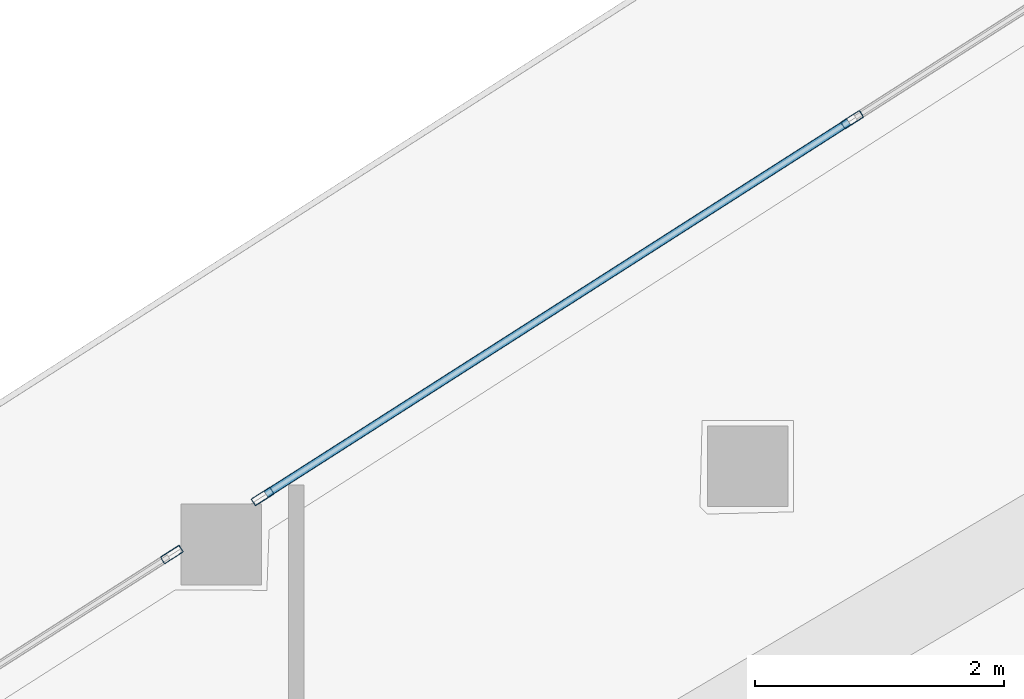
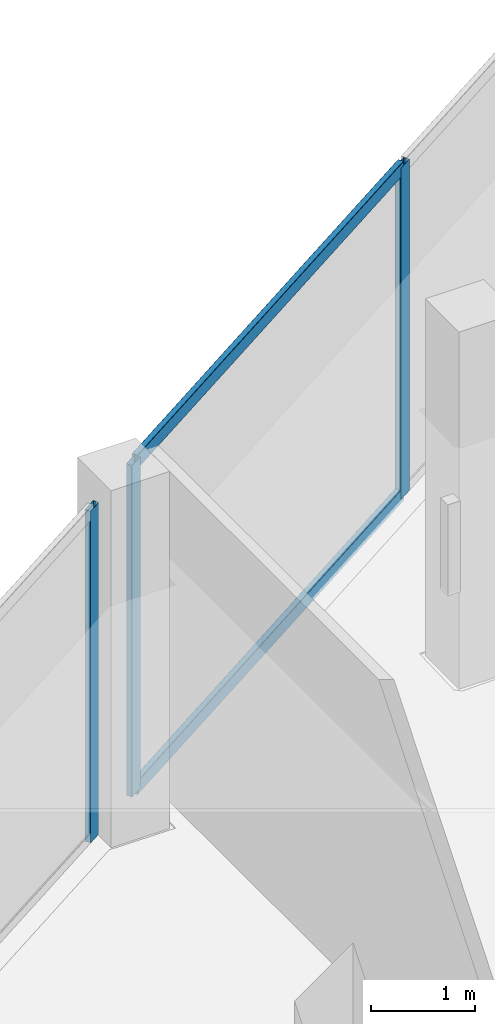
# One storey, part 18 of 45: 5 members, 2 elements without a shape of their own.
"""IFC4 building model written with IfcOpenShell, lengths in metres."""

from ifc_helpers import new_model, si_unit, direction, frame, origin, origin_2d, place, context, subcontext, project, spatial, hollow_rectangle, extrude, material, layer, layer_set, material_profile, profile_set, type_object, element, aggregate, save


model = new_model("IFC4")

# Units and contexts
model_context = context("Model", 3, precision=1e-05, world=origin(), true_north=direction((0.0, 1.0)))
body_context = subcontext(model_context, "Body", "Model", "MODEL_VIEW")
ifc_project = project(units=[si_unit("LENGTHUNIT", "METRE"), si_unit("AREAUNIT", "SQUARE_METRE"), si_unit("VOLUMEUNIT", "CUBIC_METRE"), si_unit("PLANEANGLEUNIT", "RADIAN"), si_unit("MASSUNIT", "GRAM", prefix="KILO")], contexts=[model_context])

# Site, building, storey
site_placement = place(None, origin())
site = spatial("IfcSite", under=ifc_project, at=site_placement, CompositionType="ELEMENT")
building_placement = place(site_placement, origin())
building = spatial("IfcBuilding", under=site, at=building_placement, Name="Qorvath Tower", CompositionType="ELEMENT")
storey_placement = place(building_placement, frame((0.0, 0.0, 95.39990234375)))
storey = spatial("IfcBuildingStorey", under=building, at=storey_placement, Name="L21", CompositionType="ELEMENT", Elevation=95.39990234375)

# Curtain wall, members
ifc_material_1 = material(Name="Anodised aluminium and triple low-E glass", Category="aluminium")
ifc_layer = layer(ifc_material_1, 0.179931640625)
ifc_layer_set = layer_set([ifc_layer], Name="CW-SYS-2")
curtain_wall_type = type_object("IfcCurtainWallType", Name="CW-SYS-2", PredefinedType="NOTDEFINED", material=ifc_layer_set)
curtain_wall_1_placement = place(storey_placement, origin())
curtain_wall_1 = element("IfcCurtainWall", 1, at=curtain_wall_1_placement, inside=storey, type_object=curtain_wall_type, Name="Curtain Wall CW-2 CW-T-L21-16.3", PredefinedType="NOTDEFINED")
ifc_material_2 = material(Name="Anodised aluminium 6063-T6", Category="aluminium")
ifc_material_profile_1 = material_profile(ifc_material_2, hollow_rectangle(XDim=0.06494140625, YDim=0.179931640625, WallThickness=0.00341796875, InnerFilletRadius=0.00341796875, OuterFilletRadius=0.007080078125, at=origin_2d()), Name="CWM 180x65")
ifc_profile_set_1 = profile_set([ifc_material_profile_1], Name="Anodised aluminium 6063-T6")
member_type_1 = type_object("IfcMemberType", Name="CWM-180", PredefinedType="MULLION", material=ifc_profile_set_1)
member_1_placement = place(storey_placement, frame((-30.1767578125, 22.247314453125, 0.0), z_axis=(0.0, 0.0, 1.0), x_axis=(0.538540700777, -0.842599497749, 0.0)))
member_1 = element("IfcMember", 2, at=member_1_placement, type_object=member_type_1, Name="CW-2 mullion 2", PredefinedType="MULLION", context=body_context, shape_type="SweptSolid", body=[
    extrude(hollow_rectangle(XDim=0.06494140625, YDim=0.179931640625, WallThickness=0.00341796875, InnerFilletRadius=0.00341796875, OuterFilletRadius=0.007080078125, at=origin_2d()), origin(), (0.0, 0.0, 1.0), 3.900146484375),
])
member_2_placement = place(storey_placement, frame((-34.91845703125, 19.216796875, 0.0), z_axis=(0.0, 0.0, 1.0), x_axis=(0.538540700777, -0.842599497749, 0.0)))
member_2 = element("IfcMember", 3, at=member_2_placement, type_object=member_type_1, Name="CW-2 mullion 3", PredefinedType="MULLION", context=body_context, shape_type="SweptSolid", body=[
    extrude(hollow_rectangle(XDim=0.06494140625, YDim=0.179931640625, WallThickness=0.00341796875, InnerFilletRadius=0.00341796875, OuterFilletRadius=0.007080078125, at=origin_2d()), origin(), (0.0, 0.0, 1.0), 3.900146484375),
])

# Curtain wall, member
curtain_wall_2_placement = place(storey_placement, origin())
curtain_wall_2 = element("IfcCurtainWall", 4, at=curtain_wall_2_placement, inside=storey, type_object=curtain_wall_type, Name="Curtain Wall CW-2 CW-T-L21-16.4", PredefinedType="NOTDEFINED")
member_3_placement = place(storey_placement, frame((-35.64892578125, 18.749755859375, 0.0), z_axis=(0.0, 0.0, 1.0), x_axis=(0.53852928912, -0.842606791309, 0.0)))
member_3 = element("IfcMember", 5, at=member_3_placement, type_object=member_type_1, Name="CW-2 mullion 1", PredefinedType="MULLION", context=body_context, shape_type="SweptSolid", body=[
    extrude(hollow_rectangle(XDim=0.06494140625, YDim=0.179931640625, WallThickness=0.00341796875, InnerFilletRadius=0.00341796875, OuterFilletRadius=0.007080078125, at=origin_2d()), origin(), (0.0, 0.0, 1.0), 3.900146484375),
])
aggregate(curtain_wall_2, [member_3])

# Member
ifc_material_3 = material(Name="Anodised aluminium 6063-T6", Category="aluminium")
ifc_material_profile_2 = material_profile(ifc_material_3, hollow_rectangle(XDim=0.06494140625, YDim=0.159912109375, WallThickness=0.00341796875, InnerFilletRadius=0.00341796875, OuterFilletRadius=0.007080078125, at=origin_2d()), Name="CWT 160x65")
ifc_profile_set_2 = profile_set([ifc_material_profile_2], Name="Anodised aluminium 6063-T6")
member_type_2 = type_object("IfcMemberType", Name="CWT-160", PredefinedType="USERDEFINED", material=ifc_profile_set_2)
member_4_placement = place(storey_placement, frame((-30.2041015625, 22.229736328125, 0.032470703125), z_axis=(-0.842604426813, -0.538532988697, 0.0), x_axis=(0.538532988697, -0.842604426813, 0.0)))
member_4 = element("IfcMember", 6, at=member_4_placement, type_object=member_type_2, Name="CW-2 transom 2.1", ObjectType="TRANSOM", PredefinedType="USERDEFINED", context=body_context, shape_type="SweptSolid", body=[
    extrude(hollow_rectangle(XDim=0.06494140625, YDim=0.159912109375, WallThickness=0.00341796875, InnerFilletRadius=0.00341796875, OuterFilletRadius=0.007080078125, at=origin_2d()), origin(), (0.0, 0.0, 1.0), 5.5625),
])

member_5_placement = place(storey_placement, frame((-30.2041015625, 22.229736328125, 3.86767578125), z_axis=(-0.842604426813, -0.538532988697, 0.0), x_axis=(0.538532988697, -0.842604426813, 0.0)))
member_5 = element("IfcMember", 7, at=member_5_placement, type_object=member_type_2, Name="CW-2 transom 2.2", ObjectType="TRANSOM", PredefinedType="USERDEFINED", context=body_context, shape_type="SweptSolid", body=[
    extrude(hollow_rectangle(XDim=0.06494140625, YDim=0.159912109375, WallThickness=0.00341796875, InnerFilletRadius=0.00341796875, OuterFilletRadius=0.007080078125, at=origin_2d()), origin(), (0.0, 0.0, 1.0), 5.5625),
])

aggregate(curtain_wall_1, [member_1, member_2, member_4, member_5])

save(model, "model.ifc")
